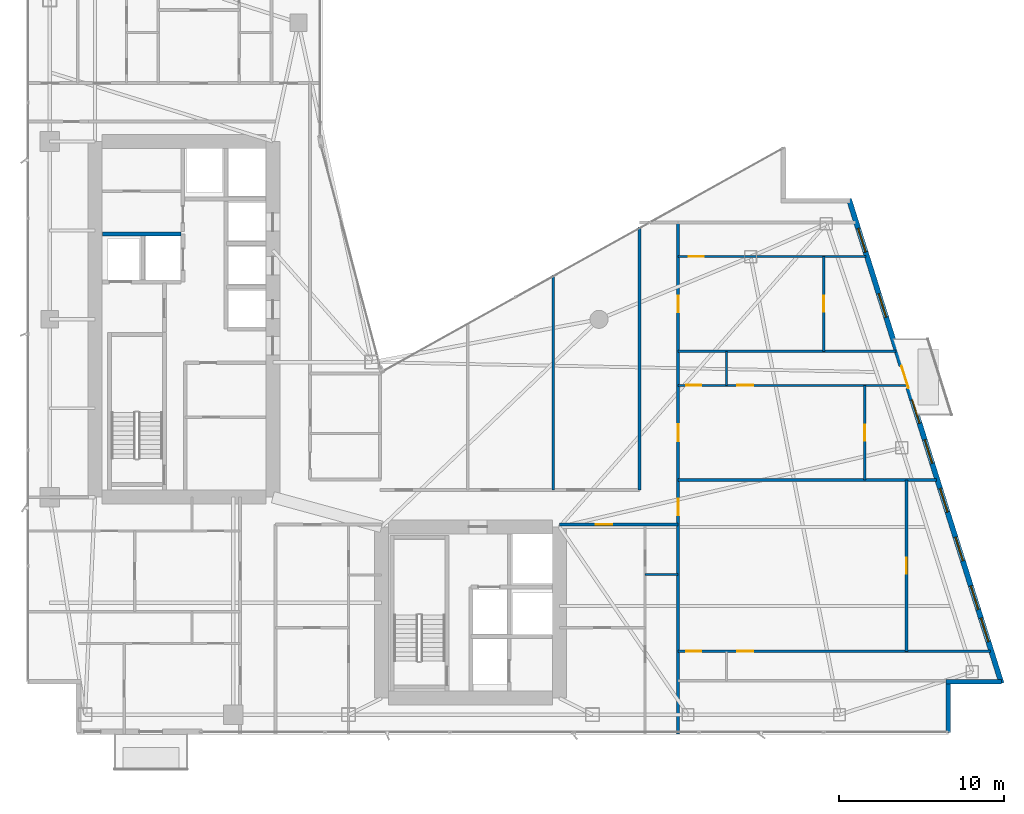
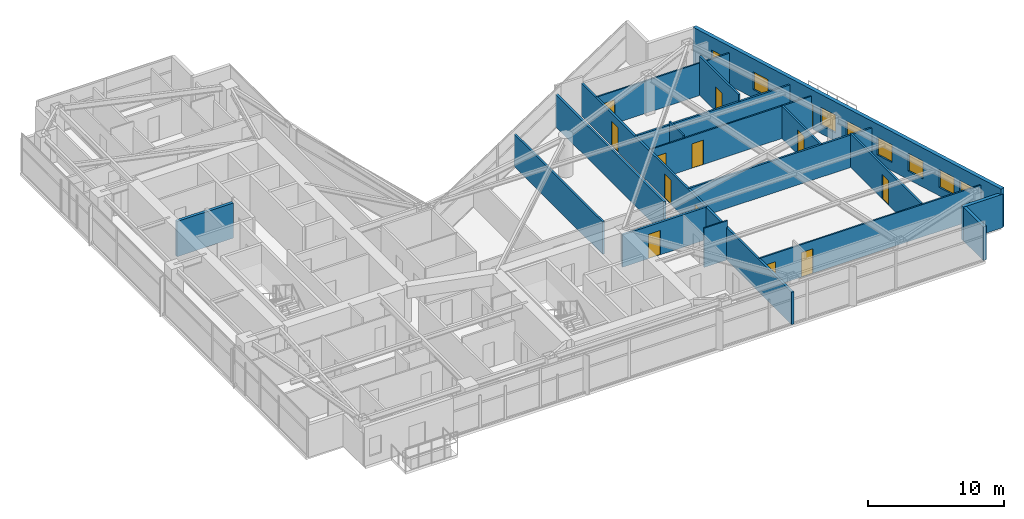
# One storey, part 24 of 28: 18 walls, 13 doors, 8 windows, 21 openings.
"""IFC4 building model written with IfcOpenShell, lengths in metres."""

from ifc_helpers import new_model, si_unit, direction, frame, frame_2d, origin, place, context, subcontext, project, spatial, rectangle, extrude, material, layer, layer_set, type_object, element, fill, save


model = new_model("IFC4")

# Units and contexts
model_context = context("Model", 3, precision=1e-05, world=origin(), true_north=direction((0.0, 1.0)))
body_context = subcontext(model_context, "Body", "Model", "MODEL_VIEW")
ifc_project = project(units=[si_unit("LENGTHUNIT", "METRE"), si_unit("AREAUNIT", "SQUARE_METRE"), si_unit("VOLUMEUNIT", "CUBIC_METRE"), si_unit("PLANEANGLEUNIT", "RADIAN"), si_unit("MASSUNIT", "GRAM", prefix="KILO")], contexts=[model_context])

# Site, building, storey
site_placement = place(None, origin())
site = spatial("IfcSite", under=ifc_project, at=site_placement, CompositionType="ELEMENT")
building_placement = place(site_placement, origin())
building = spatial("IfcBuilding", under=site, at=building_placement, Name="Calvorn Quay Hotel", CompositionType="ELEMENT")
storey_placement = place(building_placement, frame((0.0, 0.0, 182.699951171875)))
storey = spatial("IfcBuildingStorey", under=building, at=storey_placement, Name="L45", CompositionType="ELEMENT", Elevation=182.699951171875)

# Wall, opening, door
ifc_material_1 = material(Name="Acoustic Fireboard Steel-Stud Partition", Category="steel")
ifc_layer_1 = layer(ifc_material_1, 0.179931640625)
ifc_layer_set_1 = layer_set([ifc_layer_1], Name="WL-CORR-FIRE-180")
wall_type_1 = type_object("IfcWallType", Name="WL-CORR-FIRE-180", PredefinedType="PARTITIONING", material=ifc_layer_set_1)
wall_1_placement = place(storey_placement, frame((32.39990234375, 15.14990234375, 0.0), z_axis=(0.0, 0.0, 1.0), x_axis=(1.0, 0.0, 0.0)))
wall_1 = element("IfcWall", 1, at=wall_1_placement, inside=storey, type_object=wall_type_1, Name="Partition Wall L45-WL-CORR-SE-S", PredefinedType="PARTITIONING", context=body_context, shape_type="SweptSolid", body=[
    extrude(rectangle(XDim=7.2001953125, YDim=0.179931640625, at=frame_2d((3.60009765625, 0.0))), origin(), (0.0, 0.0, 1.0), 2.920166015625),
])
opening_1_placement = place(wall_1_placement, frame((2.18994140625, 0.0, 0.0)))
opening_1 = element("IfcOpeningElement", 2, at=opening_1_placement, cuts=wall_1, Name="Opening D-L45-U06", PredefinedType="OPENING", context=body_context, shape_type="SweptSolid", body=[
    extrude(rectangle(XDim=1.02001953125, YDim=2.199951171875, at=frame_2d((0.510009765625, 1.10009765625))), frame((0.0, 0.099853515625, 0.0), z_axis=(0.0, -1.0, 0.0), x_axis=(1.0, 0.0, 0.0)), (0.0, 0.0, 1.0), 0.199951171875),
])
ifc_material_2 = material(Name="Solid-Core Walnut Veneer Hotel Fire Door")
door_type_1 = type_object("IfcDoorType", Name="DR-GUEST-ENTRY-1020", OperationType="NOTDEFINED", PredefinedType="DOOR", material=ifc_material_2)
door_1_placement = place(opening_1_placement, origin())
door_1 = element("IfcDoor", 3, at=door_1_placement, inside=storey, type_object=door_type_1, Name="South-East Unit Door U06 (L45)", OperationType="SINGLE_SWING_LEFT", OverallHeight=2.199951171875, OverallWidth=1.02001953125, PredefinedType="DOOR", context=body_context, shape_type="SweptSolid", body=[
    extrude(rectangle(XDim=1.02001953125, YDim=2.199951171875, at=frame_2d((0.510009765625, 1.10009765625))), frame((0.0, 0.02490234375, 0.0), z_axis=(0.0, -1.0, 0.0), x_axis=(1.0, 0.0, 0.0)), (0.0, 0.0, 1.0), 0.050048828125),
])
fill(opening_1, door_1)

# Wall
wall_2_placement = place(storey_placement, frame((37.25, 17.25, 0.0), z_axis=(0.0, 0.0, 1.0), x_axis=(0.0, 1.0, 0.0)))
element("IfcWall", 4, at=wall_2_placement, inside=storey, type_object=wall_type_1, Name="Partition Wall L45-WL-NE-END-E", PredefinedType="PARTITIONING", context=body_context, shape_type="SweptSolid", body=[
    extrude(rectangle(XDim=15.949951171875, YDim=0.179931640625, at=frame_2d((7.97509765625, 0.0))), origin(), (0.0, 0.0, 1.0), 2.920166015625),
])

# Wall, openings, doors
wall_3_placement = place(storey_placement, frame((39.60009765625, 2.43994140625, 0.0), z_axis=(0.0, 0.0, 1.0), x_axis=(0.0, 1.0, 0.0)))
wall_3 = element("IfcWall", 5, at=wall_3_placement, inside=storey, type_object=wall_type_1, Name="Partition Wall L45-WL-CORR-TIP-E", PredefinedType="PARTITIONING", context=body_context, shape_type="SweptSolid", body=[
    extrude(rectangle(XDim=31.0400390625, YDim=0.179931640625, at=frame_2d((15.52001953125, 0.0))), origin(), (0.0, 0.0, 1.0), 2.920166015625),
])
opening_2_placement = place(wall_3_placement, frame((13.260009765625, 0.0, 0.0)))
opening_2 = element("IfcOpeningElement", 6, at=opening_2_placement, cuts=wall_3, Name="Opening D-L45-U07", PredefinedType="OPENING", context=body_context, shape_type="SweptSolid", body=[
    extrude(rectangle(XDim=1.02001953125, YDim=2.199951171875, at=frame_2d((0.510009765625, 1.10009765625))), frame((0.0, 0.099853515625, 0.0), z_axis=(0.0, -1.0, 0.0), x_axis=(1.0, 0.0, 0.0)), (0.0, 0.0, 1.0), 0.199951171875),
])
opening_3_placement = place(wall_3_placement, frame((17.77001953125, 0.0, 0.0)))
opening_3 = element("IfcOpeningElement", 7, at=opening_3_placement, cuts=wall_3, Name="Opening D-L45-U08", PredefinedType="OPENING", context=body_context, shape_type="SweptSolid", body=[
    extrude(rectangle(XDim=1.02001953125, YDim=2.199951171875, at=frame_2d((0.510009765625, 1.10009765625))), frame((0.0, 0.099853515625, 0.0), z_axis=(0.0, -1.0, 0.0), x_axis=(1.0, 0.0, 0.0)), (0.0, 0.0, 1.0), 0.199951171875),
])
opening_4_placement = place(wall_3_placement, frame((25.580078125, 0.0, 0.0)))
opening_4 = element("IfcOpeningElement", 8, at=opening_4_placement, cuts=wall_3, Name="Opening D-L45-U09", PredefinedType="OPENING", context=body_context, shape_type="SweptSolid", body=[
    extrude(rectangle(XDim=1.02001953125, YDim=2.199951171875, at=frame_2d((0.510009765625, 1.10009765625))), frame((0.0, 0.099853515625, 0.0), z_axis=(0.0, -1.0, 0.0), x_axis=(1.0, 0.0, 0.0)), (0.0, 0.0, 1.0), 0.199951171875),
])
door_2_placement = place(opening_2_placement, origin())
door_2 = element("IfcDoor", 9, at=door_2_placement, inside=storey, type_object=door_type_1, Name="Terrace Suite Door U07 (L45)", OperationType="SINGLE_SWING_LEFT", OverallHeight=2.199951171875, OverallWidth=1.02001953125, PredefinedType="DOOR", context=body_context, shape_type="SweptSolid", body=[
    extrude(rectangle(XDim=1.02001953125, YDim=2.199951171875, at=frame_2d((0.510009765625, 1.10009765625))), frame((0.0, 0.02490234375, 0.0), z_axis=(0.0, -1.0, 0.0), x_axis=(1.0, 0.0, 0.0)), (0.0, 0.0, 1.0), 0.050048828125),
])
fill(opening_2, door_2)
door_3_placement = place(opening_3_placement, origin())
door_3 = element("IfcDoor", 10, at=door_3_placement, inside=storey, type_object=door_type_1, Name="Mid-East Suite Door U08 (L45)", OperationType="SINGLE_SWING_RIGHT", OverallHeight=2.199951171875, OverallWidth=1.02001953125, PredefinedType="DOOR", context=body_context, shape_type="SweptSolid", body=[
    extrude(rectangle(XDim=1.02001953125, YDim=2.199951171875, at=frame_2d((0.510009765625, 1.10009765625))), frame((0.0, 0.02490234375, 0.0), z_axis=(0.0, -1.0, 0.0), x_axis=(1.0, 0.0, 0.0)), (0.0, 0.0, 1.0), 0.050048828125),
])
fill(opening_3, door_3)
door_4_placement = place(opening_4_placement, origin())
door_4 = element("IfcDoor", 11, at=door_4_placement, inside=storey, type_object=door_type_1, Name="Horizon Suite Door U09 (L45)", OperationType="SINGLE_SWING_LEFT", OverallHeight=2.199951171875, OverallWidth=1.02001953125, PredefinedType="DOOR", context=body_context, shape_type="SweptSolid", body=[
    extrude(rectangle(XDim=1.02001953125, YDim=2.199951171875, at=frame_2d((0.510009765625, 1.10009765625))), frame((0.0, 0.02490234375, 0.0), z_axis=(0.0, -1.0, 0.0), x_axis=(1.0, 0.0, 0.0)), (0.0, 0.0, 1.0), 0.050048828125),
])
fill(opening_4, door_4)

# Wall
ifc_material_3 = material(Name="Moisture-Resistant Tile-Backed Partition")
ifc_layer_2 = layer(ifc_material_3, 0.125)
ifc_layer_set_2 = layer_set([ifc_layer_2], Name="WL-ENSUITE-125")
wall_type_2 = type_object("IfcWallType", Name="WL-ENSUITE-125", PredefinedType="PARTITIONING", material=ifc_layer_set_2)
wall_4_placement = place(storey_placement, frame((37.60009765625, 12.10009765625, 0.0), z_axis=(0.0, 0.0, 1.0), x_axis=(1.0, 0.0, 0.0)))
element("IfcWall", 12, at=wall_4_placement, inside=storey, type_object=wall_type_2, Name="Partition Wall L45-WL-U06-BDV", PredefinedType="PARTITIONING", context=body_context, shape_type="SweptSolid", body=[
    extrude(rectangle(XDim=2.0, YDim=0.125, at=frame_2d((1.0, 0.0))), origin(), (0.0, 0.0, 1.0), 3.52001953125),
])

# Wall, openings, doors
wall_5_placement = place(storey_placement, frame((39.60009765625, 7.449951171875, 0.0), z_axis=(0.0, 0.0, 1.0), x_axis=(1.0, 0.0, 0.0)))
wall_5 = element("IfcWall", 13, at=wall_5_placement, inside=storey, type_object=wall_type_2, Name="Partition Wall L45-WL-U07-BH", PredefinedType="PARTITIONING", context=body_context, shape_type="SweptSolid", body=[
    extrude(rectangle(XDim=18.9599609375, YDim=0.125, at=frame_2d((9.47998046875, 0.0))), origin(), (0.0, 0.0, 1.0), 2.920166015625),
])
opening_5_placement = place(wall_5_placement, frame((0.5, 0.0, 0.0)))
opening_5 = element("IfcOpeningElement", 14, at=opening_5_placement, cuts=wall_5, Name="Opening D-L45-E07", PredefinedType="OPENING", context=body_context, shape_type="SweptSolid", body=[
    extrude(rectangle(XDim=0.89990234375, YDim=2.14990234375, at=frame_2d((0.449951171875, 1.074951171875))), frame((0.0, 0.072509765625, 0.0), z_axis=(0.0, -1.0, 0.0), x_axis=(1.0, 0.0, 0.0)), (0.0, 0.0, 1.0), 0.14501953125),
])
opening_6_placement = place(wall_5_placement, frame((3.60009765625, 0.0, 0.0)))
opening_6 = element("IfcOpeningElement", 15, at=opening_6_placement, cuts=wall_5, Name="Opening D-L45-S07", PredefinedType="OPENING", context=body_context, shape_type="SweptSolid", body=[
    extrude(rectangle(XDim=0.9599609375, YDim=2.199951171875, at=frame_2d((0.47998046875, 1.10009765625))), frame((0.0, 0.072509765625, 0.0), z_axis=(0.0, -1.0, 0.0), x_axis=(1.0, 0.0, 0.0)), (0.0, 0.0, 1.0), 0.14501953125),
])
ifc_material_4 = material(Name="Moisture-Sealed Timber En-Suite Door", Category="wood")
door_type_2 = type_object("IfcDoorType", Name="DR-ENSUITE-900", OperationType="NOTDEFINED", PredefinedType="DOOR", material=ifc_material_4)
door_5_placement = place(opening_5_placement, origin())
door_5 = element("IfcDoor", 16, at=door_5_placement, inside=storey, type_object=door_type_2, Name="En-Suite Door 07", OperationType="SINGLE_SWING_LEFT", OverallHeight=2.14990234375, OverallWidth=0.89990234375, PredefinedType="DOOR", context=body_context, shape_type="SweptSolid", body=[
    extrude(rectangle(XDim=0.89990234375, YDim=2.14990234375, at=frame_2d((0.449951171875, 1.074951171875))), frame((0.0, 0.02490234375, 0.0), z_axis=(0.0, -1.0, 0.0), x_axis=(1.0, 0.0, 0.0)), (0.0, 0.0, 1.0), 0.050048828125),
])
fill(opening_5, door_5)
ifc_material_5 = material(Name="Solid Timber Internal Suite Door", Category="wood")
door_type_3 = type_object("IfcDoorType", Name="DR-SUITE-INT-960", OperationType="NOTDEFINED", PredefinedType="DOOR", material=ifc_material_5)
door_6_placement = place(opening_6_placement, origin())
door_6 = element("IfcDoor", 17, at=door_6_placement, inside=storey, type_object=door_type_3, Name="Children Play Nursery Door 07", OperationType="SINGLE_SWING_RIGHT", OverallHeight=2.199951171875, OverallWidth=0.9599609375, PredefinedType="DOOR", context=body_context, shape_type="SweptSolid", body=[
    extrude(rectangle(XDim=0.9599609375, YDim=2.199951171875, at=frame_2d((0.47998046875, 1.10009765625))), frame((0.0, 0.02490234375, 0.0), z_axis=(0.0, -1.0, 0.0), x_axis=(1.0, 0.0, 0.0)), (0.0, 0.0, 1.0), 0.050048828125),
])
fill(opening_6, door_6)

# Wall
wall_6_placement = place(storey_placement, frame((42.550048828125, 23.590087890625, 0.0), z_axis=(0.0, 0.0, 1.0), x_axis=(0.0, 1.0, 0.0)))
element("IfcWall", 18, at=wall_6_placement, inside=storey, type_object=wall_type_2, Name="Partition Wall L45-WL-U08-BDV", PredefinedType="PARTITIONING", context=body_context, shape_type="SweptSolid", body=[
    extrude(rectangle(XDim=2.06982421875, YDim=0.125, at=frame_2d((1.034912109375, 0.0))), origin(), (0.0, 0.0, 1.0), 3.170166015625),
])

# Wall, openings, doors
wall_7_placement = place(storey_placement, frame((39.60009765625, 23.590087890625, 0.0), z_axis=(0.0, 0.0, 1.0), x_axis=(1.0, 0.0, 0.0)))
wall_7 = element("IfcWall", 19, at=wall_7_placement, inside=storey, type_object=wall_type_2, Name="Partition Wall L45-WL-U08-BH", PredefinedType="PARTITIONING", context=body_context, shape_type="SweptSolid", body=[
    extrude(rectangle(XDim=13.869873046875, YDim=0.125, at=frame_2d((6.93505859375, 0.0))), origin(), (0.0, 0.0, 1.0), 2.920166015625),
])
opening_7_placement = place(wall_7_placement, frame((0.5, 0.0, 0.0)))
opening_7 = element("IfcOpeningElement", 20, at=opening_7_placement, cuts=wall_7, Name="Opening D-L45-E08", PredefinedType="OPENING", context=body_context, shape_type="SweptSolid", body=[
    extrude(rectangle(XDim=0.89990234375, YDim=2.14990234375, at=frame_2d((0.449951171875, 1.074951171875))), frame((0.0, 0.072509765625, 0.0), z_axis=(0.0, -1.0, 0.0), x_axis=(1.0, 0.0, 0.0)), (0.0, 0.0, 1.0), 0.14501953125),
])
opening_8_placement = place(wall_7_placement, frame((3.60009765625, 0.0, 0.0)))
opening_8 = element("IfcOpeningElement", 21, at=opening_8_placement, cuts=wall_7, Name="Opening D-L45-S08", PredefinedType="OPENING", context=body_context, shape_type="SweptSolid", body=[
    extrude(rectangle(XDim=0.9599609375, YDim=2.199951171875, at=frame_2d((0.47998046875, 1.10009765625))), frame((0.0, 0.072509765625, 0.0), z_axis=(0.0, -1.0, 0.0), x_axis=(1.0, 0.0, 0.0)), (0.0, 0.0, 1.0), 0.14501953125),
])
door_7_placement = place(opening_7_placement, origin())
door_7 = element("IfcDoor", 22, at=door_7_placement, inside=storey, type_object=door_type_2, Name="En-Suite Door 08", OperationType="SINGLE_SWING_LEFT", OverallHeight=2.14990234375, OverallWidth=0.89990234375, PredefinedType="DOOR", context=body_context, shape_type="SweptSolid", body=[
    extrude(rectangle(XDim=0.89990234375, YDim=2.14990234375, at=frame_2d((0.449951171875, 1.074951171875))), frame((0.0, 0.02490234375, 0.0), z_axis=(0.0, -1.0, 0.0), x_axis=(1.0, 0.0, 0.0)), (0.0, 0.0, 1.0), 0.050048828125),
])
fill(opening_7, door_7)
door_8_placement = place(opening_8_placement, origin())
door_8 = element("IfcDoor", 23, at=door_8_placement, inside=storey, type_object=door_type_3, Name="Children Play Nursery Door 08", OperationType="SINGLE_SWING_RIGHT", OverallHeight=2.199951171875, OverallWidth=0.9599609375, PredefinedType="DOOR", context=body_context, shape_type="SweptSolid", body=[
    extrude(rectangle(XDim=0.9599609375, YDim=2.199951171875, at=frame_2d((0.47998046875, 1.10009765625))), frame((0.0, 0.02490234375, 0.0), z_axis=(0.0, -1.0, 0.0), x_axis=(1.0, 0.0, 0.0)), (0.0, 0.0, 1.0), 0.050048828125),
])
fill(opening_8, door_8)

# Wall, opening, door
wall_8_placement = place(storey_placement, frame((39.60009765625, 31.409912109375, 0.0), z_axis=(0.0, 0.0, 1.0), x_axis=(1.0, 0.0, 0.0)))
wall_8 = element("IfcWall", 24, at=wall_8_placement, inside=storey, type_object=wall_type_2, Name="Partition Wall L45-WL-U09-BH", PredefinedType="PARTITIONING", context=body_context, shape_type="SweptSolid", body=[
    extrude(rectangle(XDim=11.409912109375, YDim=0.125, at=frame_2d((5.705078125, 0.0))), origin(), (0.0, 0.0, 1.0), 2.920166015625),
])
opening_9_placement = place(wall_8_placement, frame((0.64990234375, 0.0, 0.0)))
opening_9 = element("IfcOpeningElement", 25, at=opening_9_placement, cuts=wall_8, Name="Opening D-L45-E09", PredefinedType="OPENING", context=body_context, shape_type="SweptSolid", body=[
    extrude(rectangle(XDim=0.89990234375, YDim=2.14990234375, at=frame_2d((0.449951171875, 1.074951171875))), frame((0.0, 0.072509765625, 0.0), z_axis=(0.0, -1.0, 0.0), x_axis=(1.0, 0.0, 0.0)), (0.0, 0.0, 1.0), 0.14501953125),
])
door_9_placement = place(opening_9_placement, origin())
door_9 = element("IfcDoor", 26, at=door_9_placement, inside=storey, type_object=door_type_2, Name="En-Suite Door 09", OperationType="SINGLE_SWING_LEFT", OverallHeight=2.14990234375, OverallWidth=0.89990234375, PredefinedType="DOOR", context=body_context, shape_type="SweptSolid", body=[
    extrude(rectangle(XDim=0.89990234375, YDim=2.14990234375, at=frame_2d((0.449951171875, 1.074951171875))), frame((0.0, 0.02490234375, 0.0), z_axis=(0.0, -1.0, 0.0), x_axis=(1.0, 0.0, 0.0)), (0.0, 0.0, 1.0), 0.050048828125),
])
fill(opening_9, door_9)

# Walls
ifc_material_6 = material(Name="Concrete C40", Category="concrete")
ifc_layer_3 = layer(ifc_material_6, 0.320068359375)
ifc_layer_set_3 = layer_set([ifc_layer_3], Name="WL-EXT-SPANDREL-320")
wall_type_3 = type_object("IfcWallType", Name="WL-EXT-SPANDREL-320", PredefinedType="SOLIDWALL", material=ifc_layer_set_3)
wall_9_placement = place(storey_placement, frame((56.0, 2.52001953125, 0.0), z_axis=(0.0, 0.0, 1.0), x_axis=(0.0, 1.0, 0.0)))
element("IfcWall", 27, at=wall_9_placement, inside=storey, type_object=wall_type_3, Name="Notched Corner Spandrel L45-SE1", PredefinedType="SOLIDWALL", context=body_context, shape_type="SweptSolid", body=[
    extrude(rectangle(XDim=2.93994140625, YDim=0.280029296875, at=frame_2d((1.469970703125, 0.0))), origin(), (0.0, 0.0, 1.0), 3.02001953125),
])
wall_10_placement = place(storey_placement, frame((55.860107421875, 5.60009765625, 0.0), z_axis=(0.0, 0.0, 1.0), x_axis=(1.0, 0.0, 0.0)))
element("IfcWall", 28, at=wall_10_placement, inside=storey, type_object=wall_type_3, Name="Notched Corner Spandrel L45-SE2", PredefinedType="SOLIDWALL", context=body_context, shape_type="SweptSolid", body=[
    extrude(rectangle(XDim=3.3798828125, YDim=0.280029296875, at=frame_2d((1.68994140625, 0.0))), origin(), (0.0, 0.0, 1.0), 3.02001953125),
])

# Wall, openings, door, windows
wall_11_placement = place(storey_placement, frame((59.22998046875, 5.5048828125, 0.0), z_axis=(0.0, 0.0, 1.0), x_axis=(-0.300509063924, 0.953778958931, 0.0)))
wall_11 = element("IfcWall", 29, at=wall_11_placement, inside=storey, type_object=wall_type_3, Name="East Stepped Waterfront Exterior Wall (L45)", PredefinedType="SOLIDWALL", context=body_context, shape_type="SweptSolid", body=[
    extrude(rectangle(XDim=30.814453125, YDim=0.320068359375, at=frame_2d((15.4072265625, 0.0))), origin(), (0.0, 0.0, 1.0), 3.52001953125),
])
opening_10_placement = place(wall_11_placement, frame((18.7958984375, 0.0, 0.0)))
opening_10 = element("IfcOpeningElement", 30, at=opening_10_placement, cuts=wall_11, Name="Opening DB-L45-1", PredefinedType="OPENING", context=body_context, shape_type="SweptSolid", body=[
    extrude(rectangle(XDim=1.39990234375, YDim=2.25, at=frame_2d((0.699951171875, 1.125))), frame((0.0, 0.169921875, 0.0), z_axis=(0.0, -1.0, 0.0), x_axis=(1.0, 0.0, 0.0)), (0.0, 0.0, 1.0), 0.340087890625),
])
opening_11_placement = place(wall_11_placement, frame((2.64990234375, 0.0, 0.75)))
opening_11 = element("IfcOpeningElement", 31, at=opening_11_placement, cuts=wall_11, Name="Opening WG-L45-E1", PredefinedType="OPENING", context=body_context, shape_type="SweptSolid", body=[
    extrude(rectangle(XDim=1.5, YDim=1.60009765625, at=frame_2d((0.75, 0.800048828125))), frame((0.0, 0.169921875, 0.0), z_axis=(0.0, -1.0, 0.0), x_axis=(1.0, 0.0, 0.0)), (0.0, 0.0, 1.0), 0.340087890625),
])
opening_12_placement = place(wall_11_placement, frame((4.699951171875, 0.0, 0.75)))
opening_12 = element("IfcOpeningElement", 32, at=opening_12_placement, cuts=wall_11, Name="Opening WG-L45-E2", PredefinedType="OPENING", context=body_context, shape_type="SweptSolid", body=[
    extrude(rectangle(XDim=1.5, YDim=1.60009765625, at=frame_2d((0.75, 0.800048828125))), frame((0.0, 0.169921875, 0.0), z_axis=(0.0, -1.0, 0.0), x_axis=(1.0, 0.0, 0.0)), (0.0, 0.0, 1.0), 0.340087890625),
])
opening_13_placement = place(wall_11_placement, frame((7.800048828125, 0.0, 0.75)))
opening_13 = element("IfcOpeningElement", 33, at=opening_13_placement, cuts=wall_11, Name="Opening WG-L45-E3", PredefinedType="OPENING", context=body_context, shape_type="SweptSolid", body=[
    extrude(rectangle(XDim=1.5, YDim=1.60009765625, at=frame_2d((0.75, 0.800048828125))), frame((0.0, 0.169921875, 0.0), z_axis=(0.0, -1.0, 0.0), x_axis=(1.0, 0.0, 0.0)), (0.0, 0.0, 1.0), 0.340087890625),
])
opening_14_placement = place(wall_11_placement, frame((10.89990234375, 0.0, 0.75)))
opening_14 = element("IfcOpeningElement", 34, at=opening_14_placement, cuts=wall_11, Name="Opening WG-L45-E4", PredefinedType="OPENING", context=body_context, shape_type="SweptSolid", body=[
    extrude(rectangle(XDim=1.5, YDim=1.60009765625, at=frame_2d((0.75, 0.800048828125))), frame((0.0, 0.169921875, 0.0), z_axis=(0.0, -1.0, 0.0), x_axis=(1.0, 0.0, 0.0)), (0.0, 0.0, 1.0), 0.340087890625),
])
opening_15_placement = place(wall_11_placement, frame((14.0, 0.0, 0.75)))
opening_15 = element("IfcOpeningElement", 35, at=opening_15_placement, cuts=wall_11, Name="Opening WG-L45-E5", PredefinedType="OPENING", context=body_context, shape_type="SweptSolid", body=[
    extrude(rectangle(XDim=1.5, YDim=1.60009765625, at=frame_2d((0.75, 0.800048828125))), frame((0.0, 0.169921875, 0.0), z_axis=(0.0, -1.0, 0.0), x_axis=(1.0, 0.0, 0.0)), (0.0, 0.0, 1.0), 0.340087890625),
])
opening_16_placement = place(wall_11_placement, frame((16.550048828125, 0.0, 0.75)))
opening_16 = element("IfcOpeningElement", 36, at=opening_16_placement, cuts=wall_11, Name="Opening WG-L45-E6", PredefinedType="OPENING", context=body_context, shape_type="SweptSolid", body=[
    extrude(rectangle(XDim=1.5, YDim=1.60009765625, at=frame_2d((0.75, 0.800048828125))), frame((0.0, 0.169921875, 0.0), z_axis=(0.0, -1.0, 0.0), x_axis=(1.0, 0.0, 0.0)), (0.0, 0.0, 1.0), 0.340087890625),
])
opening_17_placement = place(wall_11_placement, frame((23.300048828125, 0.0, 0.75)))
opening_17 = element("IfcOpeningElement", 37, at=opening_17_placement, cuts=wall_11, Name="Opening WG-L45-E7", PredefinedType="OPENING", context=body_context, shape_type="SweptSolid", body=[
    extrude(rectangle(XDim=1.5, YDim=1.60009765625, at=frame_2d((0.75, 0.800048828125))), frame((0.0, 0.169921875, 0.0), z_axis=(0.0, -1.0, 0.0), x_axis=(1.0, 0.0, 0.0)), (0.0, 0.0, 1.0), 0.340087890625),
])
opening_18_placement = place(wall_11_placement, frame((27.449951171875, 0.0, 0.75)))
opening_18 = element("IfcOpeningElement", 38, at=opening_18_placement, cuts=wall_11, Name="Opening WG-L45-E8", PredefinedType="OPENING", context=body_context, shape_type="SweptSolid", body=[
    extrude(rectangle(XDim=1.5, YDim=1.60009765625, at=frame_2d((0.75, 0.800048828125))), frame((0.0, 0.169921875, 0.0), z_axis=(0.0, -1.0, 0.0), x_axis=(1.0, 0.0, 0.0)), (0.0, 0.0, 1.0), 0.340087890625),
])
ifc_material_7 = material(Name="Typhoon-Rated Low-E Aluminium Terrace Door", Category="aluminium")
door_type_4 = type_object("IfcDoorType", Name="DR-BALCONY-GLZ-1400", OperationType="NOTDEFINED", PredefinedType="DOOR", material=ifc_material_7)
door_10_placement = place(opening_10_placement, origin())
door_10 = element("IfcDoor", 39, at=door_10_placement, inside=storey, type_object=door_type_4, Name="Tree Balcony Terrace Door L45-BALC-E", OperationType="SINGLE_SWING_LEFT", OverallHeight=2.25, OverallWidth=1.39990234375, PredefinedType="DOOR", context=body_context, shape_type="SweptSolid", body=[
    extrude(rectangle(XDim=1.39990234375, YDim=2.25, at=frame_2d((0.699951171875, 1.125))), frame((0.0, 0.02490234375, 0.0), z_axis=(0.0, -1.0, 0.0), x_axis=(1.0, 0.0, 0.0)), (0.0, 0.0, 1.0), 0.050048828125),
])
fill(opening_10, door_10)
ifc_material_8 = material(Name="Self-Closing Class B Fire Window")
window_type = type_object("IfcWindowType", Name="WIN-REFUGE-1500x1600", PartitioningType="SINGLE_PANEL", PredefinedType="WINDOW", material=ifc_material_8)
window_1_placement = place(opening_11_placement, origin())
window_1 = element("IfcWindow", 40, at=window_1_placement, inside=storey, type_object=window_type, Name="East Facade Window L45-E1", OverallHeight=1.60009765625, OverallWidth=1.5, PartitioningType="SINGLE_PANEL", PredefinedType="WINDOW", context=body_context, shape_type="SweptSolid", body=[
    extrude(rectangle(XDim=1.5, YDim=1.60009765625, at=frame_2d((0.75, 0.800048828125))), frame((0.0, 0.030029296875, 0.0), z_axis=(0.0, -1.0, 0.0), x_axis=(1.0, 0.0, 0.0)), (0.0, 0.0, 1.0), 0.06005859375),
])
fill(opening_11, window_1)
window_2_placement = place(opening_12_placement, origin())
window_2 = element("IfcWindow", 41, at=window_2_placement, inside=storey, type_object=window_type, Name="East Facade Window L45-E2", OverallHeight=1.60009765625, OverallWidth=1.5, PartitioningType="SINGLE_PANEL", PredefinedType="WINDOW", context=body_context, shape_type="SweptSolid", body=[
    extrude(rectangle(XDim=1.5, YDim=1.60009765625, at=frame_2d((0.75, 0.800048828125))), frame((0.0, 0.030029296875, 0.0), z_axis=(0.0, -1.0, 0.0), x_axis=(1.0, 0.0, 0.0)), (0.0, 0.0, 1.0), 0.06005859375),
])
fill(opening_12, window_2)
window_3_placement = place(opening_13_placement, origin())
window_3 = element("IfcWindow", 42, at=window_3_placement, inside=storey, type_object=window_type, Name="East Facade Window L45-E3", OverallHeight=1.60009765625, OverallWidth=1.5, PartitioningType="SINGLE_PANEL", PredefinedType="WINDOW", context=body_context, shape_type="SweptSolid", body=[
    extrude(rectangle(XDim=1.5, YDim=1.60009765625, at=frame_2d((0.75, 0.800048828125))), frame((0.0, 0.030029296875, 0.0), z_axis=(0.0, -1.0, 0.0), x_axis=(1.0, 0.0, 0.0)), (0.0, 0.0, 1.0), 0.06005859375),
])
fill(opening_13, window_3)
window_4_placement = place(opening_14_placement, origin())
window_4 = element("IfcWindow", 43, at=window_4_placement, inside=storey, type_object=window_type, Name="East Facade Window L45-E4", OverallHeight=1.60009765625, OverallWidth=1.5, PartitioningType="SINGLE_PANEL", PredefinedType="WINDOW", context=body_context, shape_type="SweptSolid", body=[
    extrude(rectangle(XDim=1.5, YDim=1.60009765625, at=frame_2d((0.75, 0.800048828125))), frame((0.0, 0.030029296875, 0.0), z_axis=(0.0, -1.0, 0.0), x_axis=(1.0, 0.0, 0.0)), (0.0, 0.0, 1.0), 0.06005859375),
])
fill(opening_14, window_4)
window_5_placement = place(opening_15_placement, origin())
window_5 = element("IfcWindow", 44, at=window_5_placement, inside=storey, type_object=window_type, Name="East Facade Window L45-E5", OverallHeight=1.60009765625, OverallWidth=1.5, PartitioningType="SINGLE_PANEL", PredefinedType="WINDOW", context=body_context, shape_type="SweptSolid", body=[
    extrude(rectangle(XDim=1.5, YDim=1.60009765625, at=frame_2d((0.75, 0.800048828125))), frame((0.0, 0.030029296875, 0.0), z_axis=(0.0, -1.0, 0.0), x_axis=(1.0, 0.0, 0.0)), (0.0, 0.0, 1.0), 0.06005859375),
])
fill(opening_15, window_5)
window_6_placement = place(opening_16_placement, origin())
window_6 = element("IfcWindow", 45, at=window_6_placement, inside=storey, type_object=window_type, Name="East Facade Window L45-E6", OverallHeight=1.60009765625, OverallWidth=1.5, PartitioningType="SINGLE_PANEL", PredefinedType="WINDOW", context=body_context, shape_type="SweptSolid", body=[
    extrude(rectangle(XDim=1.5, YDim=1.60009765625, at=frame_2d((0.75, 0.800048828125))), frame((0.0, 0.030029296875, 0.0), z_axis=(0.0, -1.0, 0.0), x_axis=(1.0, 0.0, 0.0)), (0.0, 0.0, 1.0), 0.06005859375),
])
fill(opening_16, window_6)
window_7_placement = place(opening_17_placement, origin())
window_7 = element("IfcWindow", 46, at=window_7_placement, inside=storey, type_object=window_type, Name="East Facade Window L45-E7", OverallHeight=1.60009765625, OverallWidth=1.5, PartitioningType="SINGLE_PANEL", PredefinedType="WINDOW", context=body_context, shape_type="SweptSolid", body=[
    extrude(rectangle(XDim=1.5, YDim=1.60009765625, at=frame_2d((0.75, 0.800048828125))), frame((0.0, 0.030029296875, 0.0), z_axis=(0.0, -1.0, 0.0), x_axis=(1.0, 0.0, 0.0)), (0.0, 0.0, 1.0), 0.06005859375),
])
fill(opening_17, window_7)
window_8_placement = place(opening_18_placement, origin())
window_8 = element("IfcWindow", 47, at=window_8_placement, inside=storey, type_object=window_type, Name="East Facade Window L45-E8", OverallHeight=1.60009765625, OverallWidth=1.5, PartitioningType="SINGLE_PANEL", PredefinedType="WINDOW", context=body_context, shape_type="SweptSolid", body=[
    extrude(rectangle(XDim=1.5, YDim=1.60009765625, at=frame_2d((0.75, 0.800048828125))), frame((0.0, 0.030029296875, 0.0), z_axis=(0.0, -1.0, 0.0), x_axis=(1.0, 0.0, 0.0)), (0.0, 0.0, 1.0), 0.06005859375),
])
fill(opening_18, window_8)

# Wall
ifc_material_9 = material(Name="Double-Stud Acoustic Gypsum Partition")
ifc_layer_4 = layer(ifc_material_9, 0.159912109375)
ifc_layer_set_4 = layer_set([ifc_layer_4], Name="WL-INTERSUITE-160")
wall_type_4 = type_object("IfcWallType", Name="WL-INTERSUITE-160", PredefinedType="PARTITIONING", material=ifc_layer_set_4)
wall_12_placement = place(storey_placement, frame((32.030029296875, 17.25, 0.0), z_axis=(0.0, 0.0, 1.0), x_axis=(0.0, 1.0, 0.0)))
element("IfcWall", 48, at=wall_12_placement, inside=storey, type_object=wall_type_4, Name="Partition Wall L45-WL-NE-DIV-2", PredefinedType="PARTITIONING", context=body_context, shape_type="SweptSolid", body=[
    extrude(rectangle(XDim=13.0400390625, YDim=0.159912109375, at=frame_2d((6.52001953125, 0.0))), origin(), (0.0, 0.0, 1.0), 2.920166015625),
])

# Wall, opening, door
wall_13_placement = place(storey_placement, frame((53.4599609375, 7.449951171875, 0.0), z_axis=(0.0, 0.0, 1.0), x_axis=(0.0, 1.0, 0.0)))
wall_13 = element("IfcWall", 49, at=wall_13_placement, inside=storey, type_object=wall_type_4, Name="Partition Wall L45-WL-U07-MSP", PredefinedType="PARTITIONING", context=body_context, shape_type="SweptSolid", body=[
    extrude(rectangle(XDim=10.400146484375, YDim=0.159912109375, at=frame_2d((5.2001953125, 0.0))), origin(), (0.0, 0.0, 1.0), 3.02001953125),
])
opening_19_placement = place(wall_13_placement, frame((4.719970703125, 0.0, 0.0)))
opening_19 = element("IfcOpeningElement", 50, at=opening_19_placement, cuts=wall_13, Name="Opening D-L45-M07", PredefinedType="OPENING", context=body_context, shape_type="SweptSolid", body=[
    extrude(rectangle(XDim=0.9599609375, YDim=2.199951171875, at=frame_2d((0.47998046875, 1.10009765625))), frame((0.0, 0.08984375, 0.0), z_axis=(0.0, -1.0, 0.0), x_axis=(1.0, 0.0, 0.0)), (0.0, 0.0, 1.0), 0.179931640625),
])
door_11_placement = place(opening_19_placement, origin())
door_11 = element("IfcDoor", 51, at=door_11_placement, inside=storey, type_object=door_type_3, Name="Suite Bedroom Door 07", OperationType="SINGLE_SWING_LEFT", OverallHeight=2.199951171875, OverallWidth=0.9599609375, PredefinedType="DOOR", context=body_context, shape_type="SweptSolid", body=[
    extrude(rectangle(XDim=0.9599609375, YDim=2.199951171875, at=frame_2d((0.47998046875, 1.10009765625))), frame((0.0, 0.02490234375, 0.0), z_axis=(0.0, -1.0, 0.0), x_axis=(1.0, 0.0, 0.0)), (0.0, 0.0, 1.0), 0.050048828125),
])
fill(opening_19, door_11)

wall_14_placement = place(storey_placement, frame((50.919921875, 17.85009765625, 0.0), z_axis=(0.0, 0.0, 1.0), x_axis=(0.0, 1.0, 0.0)))
wall_14 = element("IfcWall", 52, at=wall_14_placement, inside=storey, type_object=wall_type_4, Name="Partition Wall L45-WL-U08-MSP", PredefinedType="PARTITIONING", context=body_context, shape_type="SweptSolid", body=[
    extrude(rectangle(XDim=5.739990234375, YDim=0.159912109375, at=frame_2d((2.8701171875, 0.0))), origin(), (0.0, 0.0, 1.0), 2.920166015625),
])
opening_20_placement = place(wall_14_placement, frame((2.389892578125, 0.0, 0.0)))
opening_20 = element("IfcOpeningElement", 53, at=opening_20_placement, cuts=wall_14, Name="Opening D-L45-M08", PredefinedType="OPENING", context=body_context, shape_type="SweptSolid", body=[
    extrude(rectangle(XDim=0.9599609375, YDim=2.199951171875, at=frame_2d((0.47998046875, 1.10009765625))), frame((0.0, 0.08984375, 0.0), z_axis=(0.0, -1.0, 0.0), x_axis=(1.0, 0.0, 0.0)), (0.0, 0.0, 1.0), 0.179931640625),
])
door_12_placement = place(opening_20_placement, origin())
door_12 = element("IfcDoor", 54, at=door_12_placement, inside=storey, type_object=door_type_3, Name="Suite Bedroom Door 08", OperationType="SINGLE_SWING_LEFT", OverallHeight=2.199951171875, OverallWidth=0.9599609375, PredefinedType="DOOR", context=body_context, shape_type="SweptSolid", body=[
    extrude(rectangle(XDim=0.9599609375, YDim=2.199951171875, at=frame_2d((0.47998046875, 1.10009765625))), frame((0.0, 0.02490234375, 0.0), z_axis=(0.0, -1.0, 0.0), x_axis=(1.0, 0.0, 0.0)), (0.0, 0.0, 1.0), 0.050048828125),
])
fill(opening_20, door_12)

wall_15_placement = place(storey_placement, frame((48.449951171875, 25.659912109375, 0.0), z_axis=(0.0, 0.0, 1.0), x_axis=(0.0, 1.0, 0.0)))
wall_15 = element("IfcWall", 55, at=wall_15_placement, inside=storey, type_object=wall_type_4, Name="Partition Wall L45-WL-U09-MSP", PredefinedType="PARTITIONING", context=body_context, shape_type="SweptSolid", body=[
    extrude(rectangle(XDim=5.75, YDim=0.159912109375, at=frame_2d((2.875, 0.0))), origin(), (0.0, 0.0, 1.0), 3.52001953125),
])
opening_21_placement = place(wall_15_placement, frame((2.39990234375, 0.0, 0.0)))
opening_21 = element("IfcOpeningElement", 56, at=opening_21_placement, cuts=wall_15, Name="Opening D-L45-M09", PredefinedType="OPENING", context=body_context, shape_type="SweptSolid", body=[
    extrude(rectangle(XDim=0.9599609375, YDim=2.199951171875, at=frame_2d((0.47998046875, 1.10009765625))), frame((0.0, 0.08984375, 0.0), z_axis=(0.0, -1.0, 0.0), x_axis=(1.0, 0.0, 0.0)), (0.0, 0.0, 1.0), 0.179931640625),
])
door_13_placement = place(opening_21_placement, origin())
door_13 = element("IfcDoor", 57, at=door_13_placement, inside=storey, type_object=door_type_3, Name="Suite Bedroom Door 09", OperationType="SINGLE_SWING_LEFT", OverallHeight=2.199951171875, OverallWidth=0.9599609375, PredefinedType="DOOR", context=body_context, shape_type="SweptSolid", body=[
    extrude(rectangle(XDim=0.9599609375, YDim=2.199951171875, at=frame_2d((0.47998046875, 1.10009765625))), frame((0.0, 0.02490234375, 0.0), z_axis=(0.0, -1.0, 0.0), x_axis=(1.0, 0.0, 0.0)), (0.0, 0.0, 1.0), 0.050048828125),
])
fill(opening_21, door_13)

# Walls
wall_16_placement = place(storey_placement, frame((39.60009765625, 25.659912109375, 0.0), z_axis=(0.0, 0.0, 1.0), x_axis=(1.0, 0.0, 0.0)))
element("IfcWall", 58, at=wall_16_placement, inside=storey, type_object=wall_type_4, Name="Partition Wall L45-WL-TIP-DIV2", PredefinedType="PARTITIONING", context=body_context, shape_type="SweptSolid", body=[
    extrude(rectangle(XDim=13.219970703125, YDim=0.159912109375, at=frame_2d((6.60986328125, 0.0))), origin(), (0.0, 0.0, 1.0), 2.920166015625),
])
wall_17_placement = place(storey_placement, frame((39.60009765625, 17.85009765625, 0.0), z_axis=(0.0, 0.0, 1.0), x_axis=(1.0, 0.0, 0.0)))
element("IfcWall", 59, at=wall_17_placement, inside=storey, type_object=wall_type_4, Name="Partition Wall L45-WL-TIP-DIV", PredefinedType="PARTITIONING", context=body_context, shape_type="SweptSolid", body=[
    extrude(rectangle(XDim=15.679931640625, YDim=0.159912109375, at=frame_2d((7.83984375, 0.0))), origin(), (0.0, 0.0, 1.0), 2.920166015625),
])
ifc_material_10 = material(Name="Concrete C40", Category="concrete")
ifc_layer_5 = layer(ifc_material_10, 0.239990234375)
ifc_layer_set_5 = layer_set([ifc_layer_5], Name="WL-SHAFT-240")
wall_type_5 = type_object("IfcWallType", Name="WL-SHAFT-240", PredefinedType="SOLIDWALL", material=ifc_layer_set_5)
wall_18_placement = place(storey_placement, frame((4.64501953125, 32.780029296875, 0.0), z_axis=(0.0, 0.0, 1.0), x_axis=(1.0, 0.0, 0.0)))
element("IfcWall", 60, at=wall_18_placement, inside=storey, type_object=wall_type_5, Name="Partition Wall L45-WL-CWW-SLW-N", PredefinedType="SOLIDWALL", context=body_context, shape_type="SweptSolid", body=[
    extrude(rectangle(XDim=4.77490234375, YDim=0.239990234375, at=frame_2d((2.387451171875, 0.0))), origin(), (0.0, 0.0, 1.0), 3.170166015625),
])

save(model, "model.ifc")
